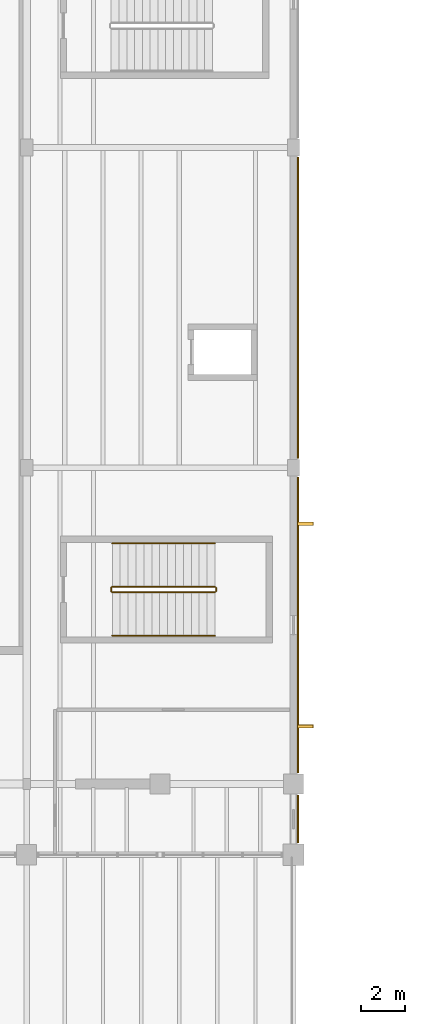
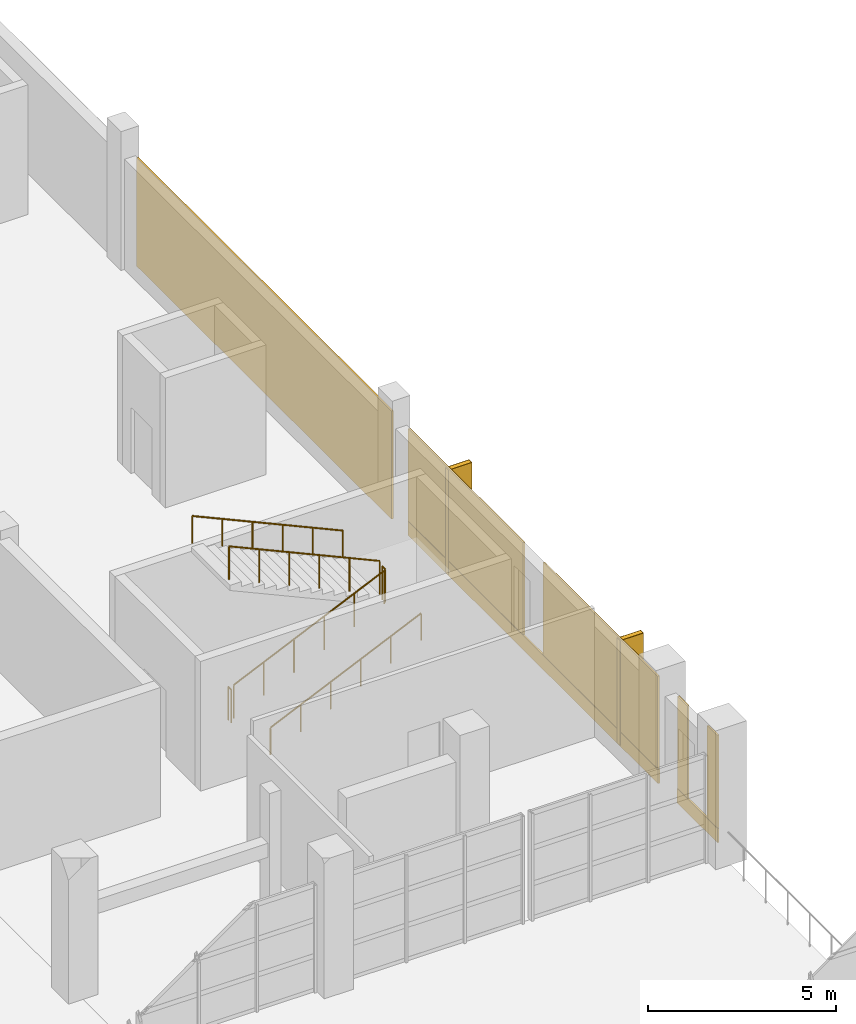
# One storey, part 106 of 114: 9 coverings, 6 railings, 2 shading devices.
"""IFC4 building model written with IfcOpenShell, lengths in metres."""

from ifc_helpers import new_model, si_unit, direction, frame, origin, origin_2d, place, context, subcontext, project, spatial, rectangle, circle, extrude, material, layer, layer_set, type_object, element, save


model = new_model("IFC4")

# Units and contexts
model_context = context("Model", 3, precision=1e-05, world=origin(), true_north=direction((0.0, 1.0)))
body_context = subcontext(model_context, "Body", "Model", "MODEL_VIEW")
ifc_project = project(units=[si_unit("LENGTHUNIT", "METRE"), si_unit("AREAUNIT", "SQUARE_METRE"), si_unit("VOLUMEUNIT", "CUBIC_METRE"), si_unit("PLANEANGLEUNIT", "RADIAN"), si_unit("MASSUNIT", "GRAM", prefix="KILO")], contexts=[model_context])

# Site, building, storey
site_placement = place(None, origin())
site = spatial("IfcSite", under=ifc_project, at=site_placement, CompositionType="ELEMENT")
building_placement = place(site_placement, origin())
building = spatial("IfcBuilding", under=site, at=building_placement, Name="Kelmvaro Bay Concert Hall", CompositionType="ELEMENT")
storey_placement = place(building_placement, frame((0.0, 0.0, 4.800048828125)))
storey = spatial("IfcBuildingStorey", under=building, at=storey_placement, Name="L01", CompositionType="ELEMENT", Elevation=4.800048828125)

# Shading devices
ifc_material_1 = material(Name="Anodised Extruded Aluminium 6063-T6", Category="aluminium")
ifc_layer_1 = layer(ifc_material_1, 3.39990234375)
ifc_layer_set_1 = layer_set([ifc_layer_1], Name="Anodised Extruded Aluminium 6063-T6")
shading_device_type = type_object("IfcShadingDeviceType", Name="Bauhaus Vertical Solar Brise-Soleil Fin 720x3400", PredefinedType="SHUTTER", material=ifc_layer_set_1)
for number, where, z_axis, x_axis, name in (
    (1, (60.52587890625, 80.28173828125, 0.06005859375), (0.0, 0.0, 1.0), (0.0, -1.0, 0.0), "L01 Solar Brise-Soleil Fin 011"),
    (2, (60.52587890625, 71.173095703125, 0.06005859375), (0.0, 0.0, 1.0), (0.0, -1.0, 0.0), "L01 Solar Brise-Soleil Fin 012"),
):
    element("IfcShadingDevice", number, at=place(storey_placement, frame(where, z_axis=z_axis, x_axis=x_axis)), inside=storey, type_object=shading_device_type, Name=name, PredefinedType="SHUTTER", context=body_context, shape_type="SweptSolid", body=[
        extrude(rectangle(XDim=0.159912109375, YDim=0.719970703125, at=origin_2d()), origin(), (0.0, 0.0, 1.0), 3.39990234375),
    ])

# Coverings
ifc_material_2 = material(Name="PVDF-Coated Architectural Aluminium", Category="aluminium")
ifc_layer_2 = layer(ifc_material_2, 0.0400390625)
ifc_layer_set_2 = layer_set([ifc_layer_2], Name="PVDF-Coated Architectural Aluminium")
covering_type_1 = type_object("IfcCoveringType", Name="De Stijl Enamelled Aluminium Fascia Panel 40", PredefinedType="CLADDING", material=ifc_layer_set_2)
for number, where, z_axis, x_axis, name in (
    (3, (60.52587890625, 80.28173828125, 0.06005859375), (0.0, 0.0, 1.0), (0.0, -1.0, 0.0), "L01 Architectural Vertical Fin Cladding 0054"),
    (4, (60.52587890625, 71.173095703125, 0.06005859375), (0.0, 0.0, 1.0), (0.0, -1.0, 0.0), "L01 Architectural Vertical Fin Cladding 0055"),
):
    element("IfcCovering", number, at=place(storey_placement, frame(where, z_axis=z_axis, x_axis=x_axis)), inside=storey, type_object=covering_type_1, Name=name, PredefinedType="CLADDING", context=body_context, shape_type="SweptSolid", body=[
        extrude(rectangle(XDim=0.139892578125, YDim=0.699951171875, at=origin_2d()), origin(), (0.0, 0.0, 1.0), 3.39990234375),
    ])
ifc_material_3 = material(Name="Honed Florida Limestone Travertine", Category="masonry")
ifc_layer_3 = layer(ifc_material_3, 0.054931640625)
ifc_layer_set_3 = layer_set([ifc_layer_3], Name="Honed Florida Limestone Travertine")
covering_type_2 = type_object("IfcCoveringType", Name="Honed Florida Travertine Rainscreen Cladding 55", PredefinedType="CLADDING", material=ifc_layer_set_3)
covering_1_placement = place(storey_placement, frame((60.195556640625, 75.7275390625, 0.0400390625), z_axis=(0.0, 0.0, 1.0), x_axis=(0.0, -1.0, 0.0)))
element("IfcCovering", 5, at=covering_1_placement, inside=storey, type_object=covering_type_2, Name="L01 Travertine Sill Band 0053", PredefinedType="CLADDING", context=body_context, shape_type="SweptSolid", body=[
    extrude(rectangle(XDim=13.27490234375, YDim=0.054931640625, at=origin_2d()), origin(), (0.0, 0.0, 1.0), 0.4599609375),
])
for number, where, z_axis, x_axis, name in (
    (6, (60.195556640625, 79.298583984375, 0.52001953125), (0.0, 0.0, 1.0), (0.0, -1.0, 0.0), "L01 Travertine Pier Panel 0056"),
    (7, (60.195556640625, 72.15625, 0.52001953125), (0.0, 0.0, 1.0), (0.0, -1.0, 0.0), "L01 Travertine Pier Panel 0057"),
):
    element("IfcCovering", number, at=place(storey_placement, frame(where, z_axis=z_axis, x_axis=x_axis)), inside=storey, type_object=covering_type_2, Name=name, PredefinedType="CLADDING", context=body_context, shape_type="SweptSolid", body=[
        extrude(rectangle(XDim=6.093017578125, YDim=0.054931640625, at=origin_2d()), origin(), (0.0, 0.0, 1.0), 2.989013671875),
    ])
covering_2_placement = place(storey_placement, frame((60.195556640625, 67.00244140625, 0.0400390625), z_axis=(0.0, 0.0, 1.0), x_axis=(0.0, -1.0, 0.0)))
element("IfcCovering", 8, at=covering_2_placement, inside=storey, type_object=covering_type_2, Name="L01 Travertine Sill Band 0058", PredefinedType="CLADDING", context=body_context, shape_type="SweptSolid", body=[
    extrude(rectangle(XDim=2.135009765625, YDim=0.054931640625, at=origin_2d()), origin(), (0.0, 0.0, 1.0), 0.4599609375),
])
covering_3_placement = place(storey_placement, frame((60.195556640625, 67.788818359375, 0.52001953125), z_axis=(0.0, 0.0, 1.0), x_axis=(0.0, -1.0, 0.0)))
element("IfcCovering", 9, at=covering_3_placement, inside=storey, type_object=covering_type_2, Name="L01 Travertine Pier Panel 0059", PredefinedType="CLADDING", context=body_context, shape_type="SweptSolid", body=[
    extrude(rectangle(XDim=0.52294921875, YDim=0.054931640625, at=origin_2d()), origin(), (0.0, 0.0, 1.0), 2.988037109375),
])
covering_4_placement = place(storey_placement, frame((60.195556640625, 66.21630859375, 0.52001953125), z_axis=(0.0, 0.0, 1.0), x_axis=(0.0, -1.0, 0.0)))
element("IfcCovering", 10, at=covering_4_placement, inside=storey, type_object=covering_type_2, Name="L01 Travertine Pier Panel 0060", PredefinedType="CLADDING", context=body_context, shape_type="SweptSolid", body=[
    extrude(rectangle(XDim=0.52197265625, YDim=0.054931640625, at=origin_2d()), origin(), (0.0, 0.0, 1.0), 2.988037109375),
])
covering_5_placement = place(storey_placement, frame((60.195556640625, 90.0, 0.02978515625), z_axis=(0.0, 0.0, 1.0), x_axis=(0.0, -1.0, 0.0)))
element("IfcCovering", 11, at=covering_5_placement, inside=storey, type_object=covering_type_2, Name="L01 Travertine Cladding Panel 0061", PredefinedType="CLADDING", context=body_context, shape_type="SweptSolid", body=[
    extrude(rectangle(XDim=13.530029296875, YDim=0.054931640625, at=origin_2d()), origin(), (0.0, 0.0, 1.0), 3.509033203125),
])

# Railings
ifc_material_4 = material(Name="Brushed Stainless Steel 316", Category="steel")
railing_type_1 = type_object("IfcRailingType", Name="Stair Stainless Wall Handrail 900", PredefinedType="HANDRAIL", material=ifc_material_4)
railing_1_placement = place(storey_placement, frame((51.85009765625, 75.25, 0.16064453125)))
element("IfcRailing", 12, at=railing_1_placement, inside=storey, type_object=railing_type_1, Name="L01 ST-04 stair handrail 1", PredefinedType="HANDRAIL", context=body_context, shape_type="SweptSolid", body=[
    extrude(circle(Radius=0.02392578125, at=origin_2d()), frame((0.0, 0.0, 0.8759765625), z_axis=(0.910987662999, 0.0, 0.412433604187), x_axis=(0.0, 1.0, 0.0)), (0.0, 0.0, 1.0), 5.06591796875),
    extrude(circle(Radius=0.02099609375, at=origin_2d()), origin(), (0.0, 0.0, 1.0), 0.851806640625),
    extrude(circle(Radius=0.02099609375, at=origin_2d()), frame((0.923095703125, 0.0, 0.41796875)), (0.0, 0.0, 1.0), 0.851806640625),
    extrude(circle(Radius=0.02099609375, at=origin_2d()), frame((1.845947265625, 0.0, 0.835693359375)), (0.0, 0.0, 1.0), 0.851806640625),
    extrude(circle(Radius=0.02099609375, at=origin_2d()), frame((2.76904296875, 0.0, 1.253662109375)), (0.0, 0.0, 1.0), 0.851806640625),
    extrude(circle(Radius=0.02099609375, at=origin_2d()), frame((3.69189453125, 0.0, 1.67138671875)), (0.0, 0.0, 1.0), 0.851806640625),
    extrude(circle(Radius=0.02099609375, at=origin_2d()), frame((4.614990234375, 0.0, 2.08935546875)), (0.0, 0.0, 1.0), 0.851806640625),
])
railing_2_placement = place(storey_placement, frame((56.465087890625, 79.39990234375, 2.41064453125)))
element("IfcRailing", 13, at=railing_2_placement, inside=storey, type_object=railing_type_1, Name="L01 ST-04 stair handrail 2", PredefinedType="HANDRAIL", context=body_context, shape_type="SweptSolid", body=[
    extrude(circle(Radius=0.02392578125, at=origin_2d()), frame((0.0, 0.0, 0.8759765625), z_axis=(-0.910987662999, 0.0, 0.412433604187), x_axis=(0.0, -1.0, 0.0)), (0.0, 0.0, 1.0), 5.06591796875),
    extrude(circle(Radius=0.02099609375, at=origin_2d()), origin(), (0.0, 0.0, 1.0), 0.851806640625),
    extrude(circle(Radius=0.02099609375, at=origin_2d()), frame((-0.923095703125, 0.0, 0.41796875)), (0.0, 0.0, 1.0), 0.851806640625),
    extrude(circle(Radius=0.02099609375, at=origin_2d()), frame((-1.845947265625, 0.0, 0.835693359375)), (0.0, 0.0, 1.0), 0.851806640625),
    extrude(circle(Radius=0.02099609375, at=origin_2d()), frame((-2.76904296875, 0.0, 1.253662109375)), (0.0, 0.0, 1.0), 0.851806640625),
    extrude(circle(Radius=0.02099609375, at=origin_2d()), frame((-3.69189453125, 0.0, 1.67138671875)), (0.0, 0.0, 1.0), 0.851806640625),
    extrude(circle(Radius=0.02099609375, at=origin_2d()), frame((-4.614990234375, 0.0, 2.08935546875)), (0.0, 0.0, 1.0), 0.851806640625),
])
ifc_material_5 = material(Name="Powder-Coated Steel ASTM A500", Category="steel")
railing_type_2 = type_object("IfcRailingType", Name="Stair Well Painted Steel Guard 1100", PredefinedType="BALUSTRADE", material=ifc_material_5)
railing_3_placement = place(storey_placement, frame((51.85009765625, 77.199951171875, 0.16064453125)))
element("IfcRailing", 14, at=railing_3_placement, inside=storey, type_object=railing_type_2, Name="L01 ST-04 stair guard 1", PredefinedType="BALUSTRADE", context=body_context, shape_type="SweptSolid", body=[
    extrude(circle(Radius=0.02392578125, at=origin_2d()), frame((0.0, 0.0, 1.076171875), z_axis=(0.910987662999, 0.0, 0.412433604187), x_axis=(0.0, 1.0, 0.0)), (0.0, 0.0, 1.0), 5.06591796875),
    extrude(circle(Radius=0.02099609375, at=origin_2d()), origin(), (0.0, 0.0, 1.0), 1.052001953125),
    extrude(circle(Radius=0.02099609375, at=origin_2d()), frame((0.923095703125, 0.0, 0.41796875)), (0.0, 0.0, 1.0), 1.052001953125),
    extrude(circle(Radius=0.02099609375, at=origin_2d()), frame((1.845947265625, 0.0, 0.835693359375)), (0.0, 0.0, 1.0), 1.052001953125),
    extrude(circle(Radius=0.02099609375, at=origin_2d()), frame((2.76904296875, 0.0, 1.253662109375)), (0.0, 0.0, 1.0), 1.052001953125),
    extrude(circle(Radius=0.02099609375, at=origin_2d()), frame((3.69189453125, 0.0, 1.67138671875)), (0.0, 0.0, 1.0), 1.052001953125),
    extrude(circle(Radius=0.02099609375, at=origin_2d()), frame((4.614990234375, 0.0, 2.08935546875)), (0.0, 0.0, 1.0), 1.052001953125),
])
railing_4_placement = place(storey_placement, frame((56.514892578125, 77.25, 2.25)))
element("IfcRailing", 15, at=railing_4_placement, inside=storey, type_object=railing_type_2, Name="L01 ST-04 stair guard 2", PredefinedType="BALUSTRADE", context=body_context, shape_type="SweptSolid", body=[
    extrude(circle(Radius=0.02392578125, at=origin_2d()), frame((0.0, 0.0, 1.076171875), z_axis=(0.0, 1.0, 0.0), x_axis=(-1.0, 0.0, 0.0)), (0.0, 0.0, 1.0), 0.14990234375),
    extrude(circle(Radius=0.02099609375, at=origin_2d()), origin(), (0.0, 0.0, 1.0), 1.052001953125),
    extrude(circle(Radius=0.02099609375, at=origin_2d()), frame((0.0, 0.14990234375, 0.0)), (0.0, 0.0, 1.0), 1.052001953125),
])
railing_5_placement = place(storey_placement, frame((56.465087890625, 77.449951171875, 2.41064453125)))
element("IfcRailing", 16, at=railing_5_placement, inside=storey, type_object=railing_type_2, Name="L01 ST-04 stair guard 3", PredefinedType="BALUSTRADE", context=body_context, shape_type="SweptSolid", body=[
    extrude(circle(Radius=0.02392578125, at=origin_2d()), frame((0.0, 0.0, 1.076171875), z_axis=(-0.910987662999, 0.0, 0.412433604187), x_axis=(0.0, -1.0, 0.0)), (0.0, 0.0, 1.0), 5.06591796875),
    extrude(circle(Radius=0.02099609375, at=origin_2d()), origin(), (0.0, 0.0, 1.0), 1.052001953125),
    extrude(circle(Radius=0.02099609375, at=origin_2d()), frame((-0.923095703125, 0.0, 0.41796875)), (0.0, 0.0, 1.0), 1.052001953125),
    extrude(circle(Radius=0.02099609375, at=origin_2d()), frame((-1.845947265625, 0.0, 0.835693359375)), (0.0, 0.0, 1.0), 1.052001953125),
    extrude(circle(Radius=0.02099609375, at=origin_2d()), frame((-2.76904296875, 0.0, 1.253662109375)), (0.0, 0.0, 1.0), 1.052001953125),
    extrude(circle(Radius=0.02099609375, at=origin_2d()), frame((-3.69189453125, 0.0, 1.67138671875)), (0.0, 0.0, 1.0), 1.052001953125),
    extrude(circle(Radius=0.02099609375, at=origin_2d()), frame((-4.614990234375, 0.0, 2.08935546875)), (0.0, 0.0, 1.0), 1.052001953125),
])
railing_6_placement = place(storey_placement, frame((51.800048828125, 77.25, 0.0)))
element("IfcRailing", 17, at=railing_6_placement, inside=storey, type_object=railing_type_2, Name="L01 ST-04 stair guard 4", PredefinedType="BALUSTRADE", context=body_context, shape_type="SweptSolid", body=[
    extrude(circle(Radius=0.02392578125, at=origin_2d()), frame((0.0, 0.0, 1.076171875), z_axis=(0.0, 1.0, 0.0), x_axis=(-1.0, 0.0, 0.0)), (0.0, 0.0, 1.0), 0.14990234375),
    extrude(circle(Radius=0.02099609375, at=origin_2d()), origin(), (0.0, 0.0, 1.0), 1.052001953125),
    extrude(circle(Radius=0.02099609375, at=origin_2d()), frame((0.0, 0.14990234375, 0.0)), (0.0, 0.0, 1.0), 1.052001953125),
])

save(model, "model.ifc")
